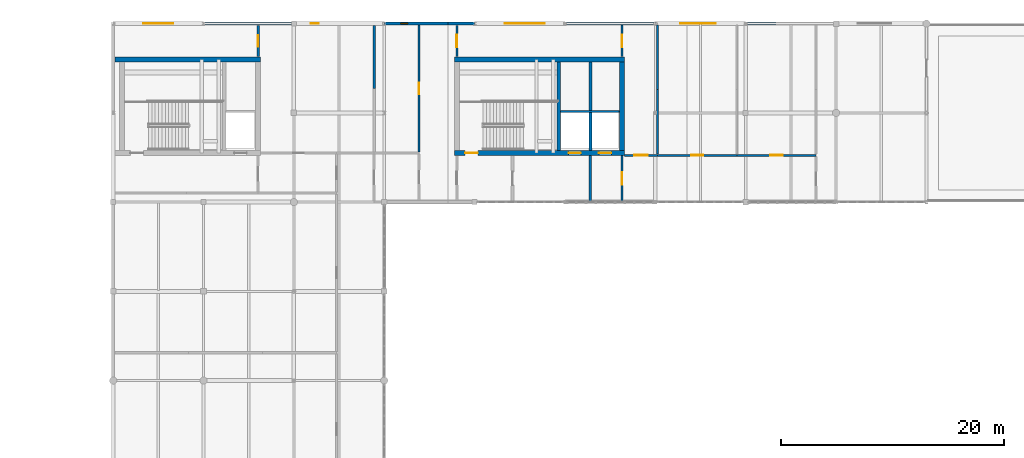
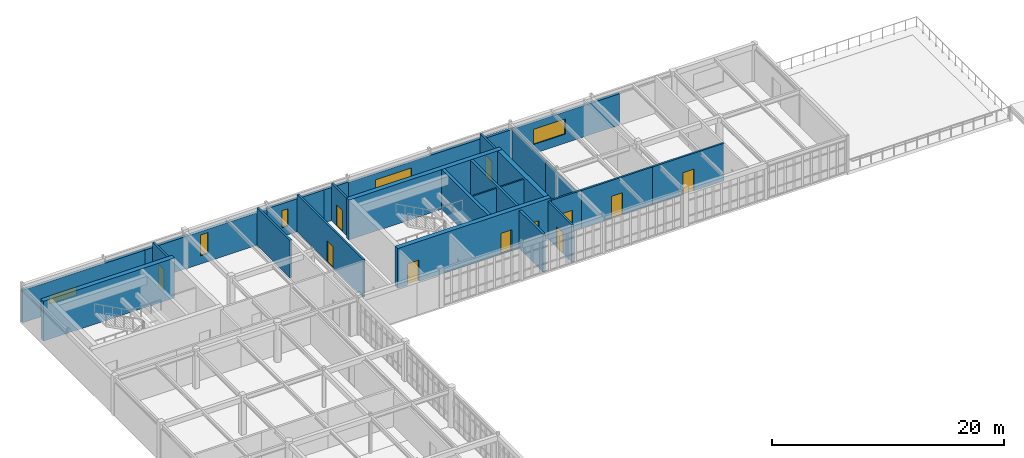
# One storey, part 32 of 36: 25 walls, 11 doors, 5 windows, 16 openings.
"""IFC4 building model written with IfcOpenShell, lengths in metres."""

import ifcopenshell
import ifcopenshell.guid

model = None  # the IFC model being written
_history = None  # IfcOwnerHistory: only IFC2X3 demands one
_inside = {}  # id of a spatial element -> (the spatial element, [elements in it])
_under = {}  # id of a project, library or spatial element -> (it, [spatial elements below it])
_declared = {}  # id of a project -> (the project, [libraries it declares])
_typed = {}  # id of a type object -> (the type object, [elements of that type])
_made_of = {}  # id of a material, layer set ... -> (it, [elements and type objects made of it])


def new_model(schema):
    """Start an empty IFC model of exactly this schema.

    Asked for "IFC4X3", IfcOpenShell would pick the latest addendum, in which some entities
    have other attributes; the version numbers below select the first issue.
    IFC2X3 requires an IfcOwnerHistory on every rooted entity: one is made here for all.
    """
    global model, _history
    if schema == "IFC4X3":
        model = ifcopenshell.file(schema_version=(4, 3, 0, 0))
    else:
        model = ifcopenshell.file(schema=schema)
    _inside.clear()
    _under.clear()
    _declared.clear()
    _typed.clear()
    _made_of.clear()
    _history = None
    if model.schema == "IFC2X3":
        org = make("IfcOrganization", Name="unknown")
        user = make(
            "IfcPersonAndOrganization",
            ThePerson=make("IfcPerson", FamilyName="unknown"),
            TheOrganization=org,
        )
        app = make(
            "IfcApplication",
            ApplicationDeveloper=org,
            Version="unknown",
            ApplicationFullName="unknown",
            ApplicationIdentifier="unknown",
        )
        _history = make(
            "IfcOwnerHistory",
            OwningUser=user,
            OwningApplication=app,
            ChangeAction="ADDED",
            CreationDate=0,
        )
    return model


def make(cls, **values):
    """One entity of the class cls with the attributes given. An attribute that is None is left unset."""
    return model.create_entity(
        cls, **{name: value for name, value in values.items() if value is not None}
    )


def rooted(cls, **values):
    """An entity with a GlobalId (a new one), such as an element, a storey or a relation."""
    return make(cls, GlobalId=ifcopenshell.guid.new(), OwnerHistory=_history, **values)


def si_unit(unit_type, name, prefix=None):
    """IfcSIUnit, for example si_unit("LENGTHUNIT", "METRE", prefix="MILLI")."""
    return make("IfcSIUnit", UnitType=unit_type, Prefix=prefix, Name=name)


def assignment(units):
    """IfcUnitAssignment: the units of a project."""
    return None if units is None else make("IfcUnitAssignment", Units=units)


def point(xyz):
    """IfcCartesianPoint."""
    return None if xyz is None else make("IfcCartesianPoint", Coordinates=xyz)


def direction(xyz):
    """IfcDirection."""
    return None if xyz is None else make("IfcDirection", DirectionRatios=xyz)


def frame(location, z_axis=None, x_axis=None):
    """IfcAxis2Placement3D, a coordinate frame: its origin and axes. An axis left out is left unset."""
    return make(
        "IfcAxis2Placement3D",
        Location=point(location),
        Axis=direction(z_axis),
        RefDirection=direction(x_axis),
    )


def frame_2d(location, x_axis=None):
    """IfcAxis2Placement2D, a coordinate frame in the plane: its origin and x axis."""
    return make(
        "IfcAxis2Placement2D", Location=point(location), RefDirection=direction(x_axis)
    )


def origin():
    """The frame at (0, 0, 0) with its axes left unset."""
    return frame((0.0, 0.0, 0.0))


def place(relative_to, where):
    """IfcLocalPlacement: puts the frame where relative to a parent placement (None: the world)."""
    return make(
        "IfcLocalPlacement", PlacementRelTo=relative_to, RelativePlacement=where
    )


def context(
    kind, dimensions, precision=None, world=None, true_north=None, identifier=None
):
    """IfcGeometricRepresentationContext, for example the 3D "Model" context."""
    return make(
        "IfcGeometricRepresentationContext",
        ContextIdentifier=identifier,
        ContextType=kind,
        CoordinateSpaceDimension=dimensions,
        Precision=precision,
        WorldCoordinateSystem=world,
        TrueNorth=true_north,
    )


def subcontext(parent, identifier, kind, view, scale=None):
    """IfcGeometricRepresentationSubContext, for example "Body" below "Model"."""
    return make(
        "IfcGeometricRepresentationSubContext",
        ContextIdentifier=identifier,
        ContextType=kind,
        ParentContext=parent,
        TargetScale=scale,
        TargetView=view,
    )


def project(units=None, contexts=None):
    """IfcProject with its units and contexts."""
    return rooted(
        "IfcProject",
        Name="project",
        RepresentationContexts=contexts,
        UnitsInContext=assignment(units),
    )


def spatial(cls, under=None, at=None, **own):
    """A site, building, storey or space (cls), placed at a placement, below another one or the project."""
    s = rooted(cls, ObjectPlacement=at, **own)
    if under is not None:
        _under.setdefault(under.id(), (under, []))[1].append(s)
    return s


def profile(cls, at=None, kind="AREA", **sizes):
    """A parametric profile (cls). Its sizes go by their IFC names, for example OverallWidth=200.0."""
    return make(cls, ProfileType=kind, Position=at, **sizes)


def rectangle(**sizes):
    """IfcRectangleProfileDef."""
    return profile("IfcRectangleProfileDef", **sizes)


def extrude(swept, where, along, depth):
    """IfcExtrudedAreaSolid: the profile swept, set in the frame where, extruded along a direction by depth."""
    return make(
        "IfcExtrudedAreaSolid",
        SweptArea=swept,
        Position=where,
        ExtrudedDirection=direction(along),
        Depth=depth,
    )


def shape(context_of_items, identifier, shape_type, items):
    """IfcShapeRepresentation: the items that make up one representation, for example the "Body"."""
    return make(
        "IfcShapeRepresentation",
        ContextOfItems=context_of_items,
        RepresentationIdentifier=identifier,
        RepresentationType=shape_type,
        Items=items,
    )


def material(Name=None, Category=None):
    """IfcMaterial."""
    return make("IfcMaterial", Name=Name, Category=Category)


def layer(
    of_material, thickness, ventilated=None, Name=None, Category=None, Priority=None
):
    """IfcMaterialLayer: one layer of a wall or slab, of a material (None: an air gap)."""
    return make(
        "IfcMaterialLayer",
        Material=of_material,
        LayerThickness=thickness,
        IsVentilated=ventilated,
        Name=Name,
        Category=Category,
        Priority=Priority,
    )


def layer_set(layers, Name=None):
    """IfcMaterialLayerSet."""
    return make("IfcMaterialLayerSet", MaterialLayers=layers, LayerSetName=Name)


def made_of(thing, what):
    """Note that an element or type object is made of a material, layer set ...; save() writes the relation."""
    if what is not None:
        _made_of.setdefault(what.id(), (what, []))[1].append(thing)
    return thing


def type_object(cls, material=None, **own):
    """A type object (cls), such as IfcWallType, which elements share."""
    return made_of(rooted(cls, **own), material)


def element(
    cls,
    number,
    at=None,
    inside=None,
    cuts=None,
    type_object=None,
    material=None,
    context=None,
    identifier="Body",
    shape_type=None,
    held_by="IfcProductDefinitionShape",
    body=None,
    shapes=None,
    **own,
):
    """One element of the class cls, such as IfcWall. Its Tag is "e" and its number.

    at: its placement. inside: the storey or other place that contains it. cuts: it is an
    opening in that element (IfcRelVoidsElement). A single representation is given by context,
    identifier, shape_type and body (its items); several are given by shapes. held_by: the class
    of the entity that holds the representations. save() writes the other relations.
    """
    e = rooted(cls, Tag="e%d" % number, ObjectPlacement=at, **own)
    if body is not None:
        shapes = [shape(context, identifier, shape_type, body)]
    if shapes is not None:
        e.Representation = make(held_by, Representations=shapes)
    if inside is not None:
        _inside.setdefault(inside.id(), (inside, []))[1].append(e)
    if cuts is not None:
        rooted(
            "IfcRelVoidsElement", RelatingBuildingElement=cuts, RelatedOpeningElement=e
        )
    if type_object is not None:
        _typed.setdefault(type_object.id(), (type_object, []))[1].append(e)
    return made_of(e, material)


def fill(opening, filler):
    """IfcRelFillsElement: the door or window that sits in an opening."""
    return rooted(
        "IfcRelFillsElement",
        RelatingOpeningElement=opening,
        RelatedBuildingElement=filler,
    )


def aggregate(whole, parts):
    """IfcRelAggregates: a whole, such as a stair, and the parts it consists of."""
    return rooted("IfcRelAggregates", RelatingObject=whole, RelatedObjects=parts)


def save(model, path):
    """Write the relations noted so far, then the file.

    IfcRelAggregates (storeys below a building ...), IfcRelContainedInSpatialStructure (elements
    in a storey), IfcRelDefinesByType, IfcRelAssociatesMaterial and IfcRelDeclares: one each for
    every whole, place, type object, material and project.
    """
    for whole, parts in _under.values():
        aggregate(whole, parts)
    for where, things in _inside.values():
        rooted(
            "IfcRelContainedInSpatialStructure",
            RelatedElements=things,
            RelatingStructure=where,
        )
    for kind, things in _typed.values():
        rooted("IfcRelDefinesByType", RelatedObjects=things, RelatingType=kind)
    for what, things in _made_of.values():
        rooted("IfcRelAssociatesMaterial", RelatedObjects=things, RelatingMaterial=what)
    for by, libraries in _declared.values():
        rooted("IfcRelDeclares", RelatingContext=by, RelatedDefinitions=libraries)
    model.write(path)


model = new_model("IFC4")

# Units and contexts
model_context = context("Model", 3, precision=1e-05, world=origin(), true_north=direction((0.0, 1.0)))
body_context = subcontext(model_context, "Body", "Model", "MODEL_VIEW")
ifc_project = project(units=[si_unit("LENGTHUNIT", "METRE"), si_unit("AREAUNIT", "SQUARE_METRE"), si_unit("VOLUMEUNIT", "CUBIC_METRE"), si_unit("PLANEANGLEUNIT", "RADIAN"), si_unit("MASSUNIT", "GRAM", prefix="KILO")], contexts=[model_context])

# Site, building, storey
site_placement = place(None, origin())
site = spatial("IfcSite", under=ifc_project, at=site_placement, CompositionType="ELEMENT")
building_placement = place(site_placement, origin())
building = spatial("IfcBuilding", under=site, at=building_placement, Name="Tarnveldt Square Police Headquarters", CompositionType="ELEMENT")
storey_placement = place(building_placement, frame((0.0, 0.0, 24.89990234375)))
storey = spatial("IfcBuildingStorey", under=building, at=storey_placement, Name="L05", CompositionType="ELEMENT", Elevation=24.89990234375)

# Wall, opening, door
ifc_material_1 = material(Name="Fire-rated Type X gypsum board on steel studs", Category="steel")
ifc_layer_1 = layer(ifc_material_1, 0.199951171875)
ifc_layer_set_1 = layer_set([ifc_layer_1], Name="Fire-rated Type X gypsum board on steel studs")
wall_type_1 = type_object("IfcWallType", Name="WL-ACOUST-200", PredefinedType="PARTITIONING", material=ifc_layer_set_1)
wall_1_placement = place(storey_placement, frame((29.199951171875, 109.032958984375, 0.0), z_axis=(0.0, 0.0, 1.0), x_axis=(0.0, 1.0, 0.0)))
wall_1 = element("IfcWall", 1, at=wall_1_placement, inside=storey, type_object=wall_type_1, Name="L05 Interior Partition Wall 0632", PredefinedType="PARTITIONING", context=body_context, shape_type="SweptSolid", body=[
    extrude(rectangle(XDim=2.819091796875, YDim=0.199951171875, at=frame_2d((1.40966796875, 0.0))), origin(), (0.0, 0.0, 1.0), 3.960205078125),
])
opening_1_placement = place(wall_1_placement, frame((0.909423828125, 0.0, 0.0)))
opening_1 = element("IfcOpeningElement", 2, at=opening_1_placement, cuts=wall_1, Name="Opening D05", PredefinedType="OPENING", context=body_context, shape_type="SweptSolid", body=[
    extrude(rectangle(XDim=1.0, YDim=2.199951171875, at=frame_2d((0.5, 1.10009765625))), frame((0.0, 0.10986328125, 0.0), z_axis=(0.0, -1.0, 0.0), x_axis=(1.0, 0.0, 0.0)), (0.0, 0.0, 1.0), 0.219970703125),
])
ifc_material_2 = material(Name="Solid core architectural birch door leaf", Category="wood")
door_type_1 = type_object("IfcDoorType", Name="DR-INT-1000", OperationType="NOTDEFINED", PredefinedType="DOOR", material=ifc_material_2)
door_1_placement = place(opening_1_placement, origin())
door_1 = element("IfcDoor", 3, at=door_1_placement, inside=storey, type_object=door_type_1, Name="Major Crimes Secure Exhibit Room Door", OperationType="SINGLE_SWING_RIGHT", OverallHeight=2.199951171875, OverallWidth=1.0, PredefinedType="DOOR", context=body_context, shape_type="SweptSolid", body=[
    extrude(rectangle(XDim=1.0, YDim=2.199951171875, at=frame_2d((0.5, 1.10009765625))), frame((0.0, 0.02490234375, 0.0), z_axis=(0.0, -1.0, 0.0), x_axis=(1.0, 0.0, 0.0)), (0.0, 0.0, 1.0), 0.050048828125),
])
fill(opening_1, door_1)

# Walls
wall_2_placement = place(storey_placement, frame((39.60009765625, 106.175048828125, 0.0), z_axis=(0.0, 0.0, 1.0), x_axis=(0.0, 1.0, 0.0)))
element("IfcWall", 4, at=wall_2_placement, inside=storey, type_object=wall_type_1, Name="L05 Interior Partition Wall 0644", PredefinedType="PARTITIONING", context=body_context, shape_type="SweptSolid", body=[
    extrude(rectangle(XDim=5.677001953125, YDim=0.199951171875, at=frame_2d((2.83837890625, 0.0))), origin(), (0.0, 0.0, 1.0), 3.960205078125),
])
ifc_material_3 = material(Name="Concrete 50 MPa", Category="concrete")
ifc_layer_2 = layer(ifc_material_3, 0.449951171875)
ifc_layer_set_2 = layer_set([ifc_layer_2], Name="Concrete 50 MPa")
wall_type_2 = type_object("IfcWallType", Name="WL-CORE-450", PredefinedType="SHEAR", material=ifc_layer_set_2)
wall_3_placement = place(storey_placement, frame((16.360107421875, 108.800048828125, 0.0), z_axis=(0.0, 0.0, 1.0), x_axis=(1.0, 0.0, 0.0)))
element("IfcWall", 5, at=wall_3_placement, inside=storey, type_object=wall_type_2, Name="Core K2 North-West Operations Core L05 North Shear Wall", PredefinedType="SHEAR", context=body_context, shape_type="SweptSolid", body=[
    extrude(rectangle(XDim=13.06494140625, YDim=0.449951171875, at=frame_2d((6.532470703125, 0.0))), origin(), (0.0, 0.0, 1.0), 4.2001953125),
])

# Wall, openings, doors
wall_4_placement = place(storey_placement, frame((46.77490234375, 100.39990234375, 0.0), z_axis=(0.0, 0.0, 1.0), x_axis=(1.0, 0.0, 0.0)))
wall_4 = element("IfcWall", 6, at=wall_4_placement, inside=storey, type_object=wall_type_2, Name="Core K3 North-Central Forensic and Firefighting Core L05 South Shear Wall", PredefinedType="SHEAR", context=body_context, shape_type="SweptSolid", body=[
    extrude(rectangle(XDim=15.25, YDim=0.449951171875, at=frame_2d((7.625, 0.0))), origin(), (0.0, 0.0, 1.0), 4.2001953125),
])
opening_2_placement = place(wall_4_placement, frame((0.97509765625, 0.0, 0.0)))
opening_2 = element("IfcOpeningElement", 7, at=opening_2_placement, cuts=wall_4, Name="Opening D-ST3-L05", PredefinedType="OPENING", context=body_context, shape_type="SweptSolid", body=[
    extrude(rectangle(XDim=1.14990234375, YDim=2.25, at=frame_2d((0.574951171875, 1.125))), frame((0.0, 0.23486328125, 0.0), z_axis=(0.0, -1.0, 0.0), x_axis=(1.0, 0.0, 0.0)), (0.0, 0.0, 1.0), 0.469970703125),
])
opening_3_placement = place(wall_4_placement, frame((10.257568359375, 0.0, 0.0)))
opening_3 = element("IfcOpeningElement", 8, at=opening_3_placement, cuts=wall_4, Name="Opening LD-LF2-L05", PredefinedType="OPENING", context=body_context, shape_type="SweptSolid", body=[
    extrude(rectangle(XDim=1.10009765625, YDim=2.199951171875, at=frame_2d((0.550048828125, 1.10009765625))), frame((0.0, 0.23486328125, 0.0), z_axis=(0.0, -1.0, 0.0), x_axis=(1.0, 0.0, 0.0)), (0.0, 0.0, 1.0), 0.469970703125),
])
opening_4_placement = place(wall_4_placement, frame((12.972412109375, 0.0, 0.0)))
opening_4 = element("IfcOpeningElement", 9, at=opening_4_placement, cuts=wall_4, Name="Opening LD-LP3-L05", PredefinedType="OPENING", context=body_context, shape_type="SweptSolid", body=[
    extrude(rectangle(XDim=1.10009765625, YDim=2.199951171875, at=frame_2d((0.550048828125, 1.10009765625))), frame((0.0, 0.23486328125, 0.0), z_axis=(0.0, -1.0, 0.0), x_axis=(1.0, 0.0, 0.0)), (0.0, 0.0, 1.0), 0.469970703125),
])
ifc_material_4 = material(Name="Insulated hollow metal steel door leaf", Category="steel")
door_type_2 = type_object("IfcDoorType", Name="DR-FD90-1150", OperationType="NOTDEFINED", PredefinedType="DOOR", material=ifc_material_4)
door_2_placement = place(opening_2_placement, origin())
door_2 = element("IfcDoor", 10, at=door_2_placement, inside=storey, type_object=door_type_2, Name="Exit Stair ST3 L05 Fire Door", OperationType="SINGLE_SWING_LEFT", OverallHeight=2.25, OverallWidth=1.14990234375, PredefinedType="DOOR", context=body_context, shape_type="SweptSolid", body=[
    extrude(rectangle(XDim=1.14990234375, YDim=2.25, at=frame_2d((0.574951171875, 1.125))), frame((0.0, 0.02490234375, 0.0), z_axis=(0.0, -1.0, 0.0), x_axis=(1.0, 0.0, 0.0)), (0.0, 0.0, 1.0), 0.050048828125),
])
fill(opening_2, door_2)
ifc_material_5 = material(Name="Steel 350W", Category="steel")
door_type_3 = type_object("IfcDoorType", Name="DR-LD-1100", OperationType="DOUBLE_DOOR_SLIDING", PredefinedType="DOOR", material=ifc_material_5)
door_3_placement = place(opening_3_placement, frame((1.10009765625, 0.0, 0.0), z_axis=(0.0, 0.0, 1.0), x_axis=(-1.0, 0.0, 0.0)))
door_3 = element("IfcDoor", 11, at=door_3_placement, inside=storey, type_object=door_type_3, Name="Elevator LF2 L05 Sliding Landing Door", OperationType="DOUBLE_DOOR_SLIDING", OverallHeight=2.199951171875, OverallWidth=1.10009765625, PredefinedType="DOOR", context=body_context, shape_type="SweptSolid", body=[
    extrude(rectangle(XDim=1.10009765625, YDim=2.199951171875, at=frame_2d((0.550048828125, 1.10009765625))), frame((0.0, 0.02490234375, 0.0), z_axis=(0.0, -1.0, 0.0), x_axis=(1.0, 0.0, 0.0)), (0.0, 0.0, 1.0), 0.050048828125),
])
fill(opening_3, door_3)
door_4_placement = place(opening_4_placement, frame((1.10009765625, 0.0, 0.0), z_axis=(0.0, 0.0, 1.0), x_axis=(-1.0, 0.0, 0.0)))
door_4 = element("IfcDoor", 12, at=door_4_placement, inside=storey, type_object=door_type_3, Name="Elevator LP3 L05 Sliding Landing Door", OperationType="DOUBLE_DOOR_SLIDING", OverallHeight=2.199951171875, OverallWidth=1.10009765625, PredefinedType="DOOR", context=body_context, shape_type="SweptSolid", body=[
    extrude(rectangle(XDim=1.10009765625, YDim=2.199951171875, at=frame_2d((0.550048828125, 1.10009765625))), frame((0.0, 0.02490234375, 0.0), z_axis=(0.0, -1.0, 0.0), x_axis=(1.0, 0.0, 0.0)), (0.0, 0.0, 1.0), 0.050048828125),
])
fill(opening_4, door_4)

# Walls
wall_5_placement = place(storey_placement, frame((46.77490234375, 108.800048828125, 0.0), z_axis=(0.0, 0.0, 1.0), x_axis=(1.0, 0.0, 0.0)))
element("IfcWall", 13, at=wall_5_placement, inside=storey, type_object=wall_type_2, Name="Core K3 North-Central Forensic and Firefighting Core L05 North Shear Wall", PredefinedType="SHEAR", context=body_context, shape_type="SweptSolid", body=[
    extrude(rectangle(XDim=15.25, YDim=0.449951171875, at=frame_2d((7.625, 0.0))), origin(), (0.0, 0.0, 1.0), 4.2001953125),
])
wall_6_placement = place(storey_placement, frame((61.800048828125, 100.625, 0.0), z_axis=(0.0, 0.0, 1.0), x_axis=(0.0, 1.0, 0.0)))
element("IfcWall", 14, at=wall_6_placement, inside=storey, type_object=wall_type_2, Name="Core K3 North-Central Forensic and Firefighting Core L05 East Shear Wall", PredefinedType="SHEAR", context=body_context, shape_type="SweptSolid", body=[
    extrude(rectangle(XDim=7.949951171875, YDim=0.449951171875, at=frame_2d((3.97509765625, 0.0))), origin(), (0.0, 0.0, 1.0), 4.2001953125),
])
wall_7_placement = place(storey_placement, frame((56.14990234375, 100.625, 0.0), z_axis=(0.0, 0.0, 1.0), x_axis=(0.0, 1.0, 0.0)))
element("IfcWall", 15, at=wall_7_placement, inside=storey, type_object=wall_type_2, Name="Core K3 North-Central Forensic and Firefighting Core L05 Stair-Lift Divider Shear Wall", PredefinedType="SHEAR", context=body_context, shape_type="SweptSolid", body=[
    extrude(rectangle(XDim=7.949951171875, YDim=0.300048828125, at=frame_2d((3.97509765625, 0.0))), origin(), (0.0, 0.0, 1.0), 4.2001953125),
])
wall_8_placement = place(storey_placement, frame((58.97509765625, 100.625, 0.0), z_axis=(0.0, 0.0, 1.0), x_axis=(0.0, 1.0, 0.0)))
element("IfcWall", 16, at=wall_8_placement, inside=storey, type_object=wall_type_2, Name="Core K3 North-Central Forensic and Firefighting Core L05 Dual-Lift Shaft Divider Wall", PredefinedType="SHEAR", context=body_context, shape_type="SweptSolid", body=[
    extrude(rectangle(XDim=7.949951171875, YDim=0.25, at=frame_2d((3.97509765625, 0.0))), origin(), (0.0, 0.0, 1.0), 4.2001953125),
])

# Wall, opening, window
ifc_material_6 = material(Name="Precast concrete 35 MPa", Category="concrete")
ifc_layer_3 = layer(ifc_material_6, 0.260009765625)
ifc_layer_set_3 = layer_set([ifc_layer_3], Name="Precast concrete 35 MPa")
wall_type_3 = type_object("IfcWallType", Name="WL-EXT-PC260", PredefinedType="SOLIDWALL", material=ifc_layer_set_3)
wall_9_placement = place(storey_placement, frame((75.60009765625, 112.0, 0.0), z_axis=(0.0, 0.0, 1.0), x_axis=(-1.0, 0.0, 0.0)))
wall_9 = element("IfcWall", 17, at=wall_9_placement, inside=storey, type_object=wall_type_3, Name="L05 Brutalist Exterior Wall 0217", PredefinedType="SOLIDWALL", context=body_context, shape_type="SweptSolid", body=[
    extrude(rectangle(XDim=13.5, YDim=0.260009765625, at=frame_2d((6.75, 0.0))), origin(), (0.0, 0.0, 1.0), 3.302001953125),
])
opening_5_placement = place(wall_9_placement, frame((5.39990234375, 0.0, 0.949951171875)))
opening_5 = element("IfcOpeningElement", 18, at=opening_5_placement, cuts=wall_9, Name="Opening W18", PredefinedType="OPENING", context=body_context, shape_type="SweptSolid", body=[
    extrude(rectangle(XDim=3.14990234375, YDim=1.60009765625, at=frame_2d((1.574951171875, 0.800048828125))), frame((0.0, 0.139892578125, 0.0), z_axis=(0.0, -1.0, 0.0), x_axis=(1.0, 0.0, 0.0)), (0.0, 0.0, 1.0), 0.280029296875),
])
ifc_material_7 = material(Name="Triple-glazed low-e laminated vision glass", Category="glass")
window_type_1 = type_object("IfcWindowType", Name="WIN-DR-315x160", PartitioningType="TRIPLE_PANEL_VERTICAL", PredefinedType="WINDOW", material=ifc_material_7)
window_1_placement = place(opening_5_placement, origin())
window_1 = element("IfcWindow", 19, at=window_1_placement, inside=storey, type_object=window_type_1, Name="L05 Deep-Reveal Brutalist Window 0114", OverallHeight=1.60009765625, OverallWidth=3.14990234375, PartitioningType="TRIPLE_PANEL_VERTICAL", PredefinedType="WINDOW", context=body_context, shape_type="SweptSolid", body=[
    extrude(rectangle(XDim=3.14990234375, YDim=1.60009765625, at=frame_2d((1.574951171875, 0.800048828125))), frame((0.0, 0.030029296875, 0.0), z_axis=(0.0, -1.0, 0.0), x_axis=(1.0, 0.0, 0.0)), (0.0, 0.0, 1.0), 0.06005859375),
])
fill(opening_5, window_1)

wall_10_placement = place(storey_placement, frame((62.10009765625, 112.0, 0.0), z_axis=(0.0, 0.0, 1.0), x_axis=(-1.0, 0.0, 0.0)))
wall_10 = element("IfcWall", 20, at=wall_10_placement, inside=storey, type_object=wall_type_3, Name="L05 Brutalist Exterior Wall 0218", PredefinedType="SOLIDWALL", context=body_context, shape_type="SweptSolid", body=[
    extrude(rectangle(XDim=13.5, YDim=0.260009765625, at=frame_2d((6.75, 0.0))), origin(), (0.0, 0.0, 1.0), 3.402099609375),
])
opening_6_placement = place(wall_10_placement, frame((7.199951171875, 0.0, 0.949951171875)))
opening_6 = element("IfcOpeningElement", 21, at=opening_6_placement, cuts=wall_10, Name="Opening W19", PredefinedType="OPENING", context=body_context, shape_type="SweptSolid", body=[
    extrude(rectangle(XDim=3.60009765625, YDim=1.800048828125, at=frame_2d((1.800048828125, 0.89990234375))), frame((0.0, 0.139892578125, 0.0), z_axis=(0.0, -1.0, 0.0), x_axis=(1.0, 0.0, 0.0)), (0.0, 0.0, 1.0), 0.280029296875),
])
window_type_2 = type_object("IfcWindowType", Name="WIN-DR-360x180", PartitioningType="TRIPLE_PANEL_VERTICAL", PredefinedType="WINDOW", material=ifc_material_7)
window_2_placement = place(opening_6_placement, origin())
window_2 = element("IfcWindow", 22, at=window_2_placement, inside=storey, type_object=window_type_2, Name="L05 Deep-Reveal Brutalist Window 0115", OverallHeight=1.800048828125, OverallWidth=3.60009765625, PartitioningType="TRIPLE_PANEL_VERTICAL", PredefinedType="WINDOW", context=body_context, shape_type="SweptSolid", body=[
    extrude(rectangle(XDim=3.60009765625, YDim=1.800048828125, at=frame_2d((1.800048828125, 0.89990234375))), frame((0.0, 0.030029296875, 0.0), z_axis=(0.0, -1.0, 0.0), x_axis=(1.0, 0.0, 0.0)), (0.0, 0.0, 1.0), 0.06005859375),
])
fill(opening_6, window_2)

wall_11_placement = place(storey_placement, frame((46.199951171875, 112.0, 0.0), z_axis=(0.0, 0.0, 1.0), x_axis=(-1.0, 0.0, 0.0)))
wall_11 = element("IfcWall", 23, at=wall_11_placement, inside=storey, type_object=wall_type_3, Name="L05 Brutalist Exterior Wall 0220", PredefinedType="SOLIDWALL", context=body_context, shape_type="SweptSolid", body=[
    extrude(rectangle(XDim=5.699951171875, YDim=0.260009765625, at=frame_2d((2.85009765625, 0.0))), origin(), (0.0, 0.0, 1.0), 3.489013671875),
])
opening_7_placement = place(wall_11_placement, frame((3.60009765625, 0.0, 0.949951171875)))
opening_7 = element("IfcOpeningElement", 24, at=opening_7_placement, cuts=wall_11, Name="Opening W20", PredefinedType="OPENING", context=body_context, shape_type="SweptSolid", body=[
    extrude(rectangle(XDim=0.60009765625, YDim=1.800048828125, at=frame_2d((0.300048828125, 0.89990234375))), frame((0.0, 0.139892578125, 0.0), z_axis=(0.0, -1.0, 0.0), x_axis=(1.0, 0.0, 0.0)), (0.0, 0.0, 1.0), 0.280029296875),
])
window_type_3 = type_object("IfcWindowType", Name="WIN-SLT-060x180", PartitioningType="SINGLE_PANEL", PredefinedType="WINDOW", material=ifc_material_7)
window_3_placement = place(opening_7_placement, origin())
window_3 = element("IfcWindow", 25, at=window_3_placement, inside=storey, type_object=window_type_3, Name="L05 Deep-Reveal Brutalist Window 0116", OverallHeight=1.800048828125, OverallWidth=0.60009765625, PartitioningType="SINGLE_PANEL", PredefinedType="WINDOW", context=body_context, shape_type="SweptSolid", body=[
    extrude(rectangle(XDim=0.60009765625, YDim=1.800048828125, at=frame_2d((0.300048828125, 0.89990234375))), frame((0.0, 0.030029296875, 0.0), z_axis=(0.0, -1.0, 0.0), x_axis=(1.0, 0.0, 0.0)), (0.0, 0.0, 1.0), 0.06005859375),
])
fill(opening_7, window_3)

# Wall
ifc_layer_4 = layer(ifc_material_6, 0.280029296875)
ifc_layer_set_4 = layer_set([ifc_layer_4], Name="Precast concrete 35 MPa")
wall_type_4 = type_object("IfcWallType", Name="WL-EXT-PC280", PredefinedType="SOLIDWALL", material=ifc_layer_set_4)
wall_12_placement = place(storey_placement, frame((48.60009765625, 112.0, 0.0), z_axis=(0.0, 0.0, 1.0), x_axis=(-1.0, 0.0, 0.0)))
element("IfcWall", 26, at=wall_12_placement, inside=storey, type_object=wall_type_4, Name="L05 Brutalist Exterior Wall 0219", PredefinedType="SOLIDWALL", context=body_context, shape_type="SweptSolid", body=[
    extrude(rectangle(XDim=2.400146484375, YDim=0.280029296875, at=frame_2d((1.2001953125, 0.0))), origin(), (0.0, 0.0, 1.0), 3.489013671875),
])

# Wall, opening, window
wall_13_placement = place(storey_placement, frame((40.5, 112.0, 0.0), z_axis=(0.0, 0.0, 1.0), x_axis=(-1.0, 0.0, 0.0)))
wall_13 = element("IfcWall", 27, at=wall_13_placement, inside=storey, type_object=wall_type_4, Name="L05 Brutalist Exterior Wall 0221", PredefinedType="SOLIDWALL", context=body_context, shape_type="SweptSolid", body=[
    extrude(rectangle(XDim=12.14990234375, YDim=0.280029296875, at=frame_2d((6.074951171875, 0.0))), origin(), (0.0, 0.0, 1.0), 3.402099609375),
])
opening_8_placement = place(wall_13_placement, frame((5.85009765625, 0.0, 0.85009765625)))
opening_8 = element("IfcOpeningElement", 28, at=opening_8_placement, cuts=wall_13, Name="Opening W21", PredefinedType="OPENING", context=body_context, shape_type="SweptSolid", body=[
    extrude(rectangle(XDim=0.75, YDim=2.199951171875, at=frame_2d((0.375, 1.10009765625))), frame((0.0, 0.14990234375, 0.0), z_axis=(0.0, -1.0, 0.0), x_axis=(1.0, 0.0, 0.0)), (0.0, 0.0, 1.0), 0.300048828125),
])
window_type_4 = type_object("IfcWindowType", Name="WIN-SLT-075x220", PartitioningType="SINGLE_PANEL", PredefinedType="WINDOW", material=ifc_material_7)
window_4_placement = place(opening_8_placement, origin())
window_4 = element("IfcWindow", 29, at=window_4_placement, inside=storey, type_object=window_type_4, Name="L05 Deep-Reveal Brutalist Window 0117", OverallHeight=2.199951171875, OverallWidth=0.75, PartitioningType="SINGLE_PANEL", PredefinedType="WINDOW", context=body_context, shape_type="SweptSolid", body=[
    extrude(rectangle(XDim=0.75, YDim=2.199951171875, at=frame_2d((0.375, 1.10009765625))), frame((0.0, 0.030029296875, 0.0), z_axis=(0.0, -1.0, 0.0), x_axis=(1.0, 0.0, 0.0)), (0.0, 0.0, 1.0), 0.06005859375),
])
fill(opening_8, window_4)

wall_14_placement = place(storey_placement, frame((28.35009765625, 112.0, 0.0), z_axis=(0.0, 0.0, 1.0), x_axis=(-1.0, 0.0, 0.0)))
wall_14 = element("IfcWall", 30, at=wall_14_placement, inside=storey, type_object=wall_type_4, Name="L05 Brutalist Exterior Wall 0222", PredefinedType="SOLIDWALL", context=body_context, shape_type="SweptSolid", body=[
    extrude(rectangle(XDim=12.150146484375, YDim=0.280029296875, at=frame_2d((6.0751953125, 0.0))), origin(), (0.0, 0.0, 1.0), 3.402099609375),
])
opening_9_placement = place(wall_14_placement, frame((6.75, 0.0, 0.949951171875)))
opening_9 = element("IfcOpeningElement", 31, at=opening_9_placement, cuts=wall_14, Name="Opening W22", PredefinedType="OPENING", context=body_context, shape_type="SweptSolid", body=[
    extrude(rectangle(XDim=2.699951171875, YDim=0.89990234375, at=frame_2d((1.35009765625, 0.449951171875))), frame((0.0, 0.14990234375, 0.0), z_axis=(0.0, -1.0, 0.0), x_axis=(1.0, 0.0, 0.0)), (0.0, 0.0, 1.0), 0.300048828125),
])
window_type_5 = type_object("IfcWindowType", Name="WIN-CLR-270x090", PartitioningType="TRIPLE_PANEL_VERTICAL", PredefinedType="WINDOW", material=ifc_material_7)
window_5_placement = place(opening_9_placement, origin())
window_5 = element("IfcWindow", 32, at=window_5_placement, inside=storey, type_object=window_type_5, Name="L05 Deep-Reveal Brutalist Window 0118", OverallHeight=0.89990234375, OverallWidth=2.699951171875, PartitioningType="TRIPLE_PANEL_VERTICAL", PredefinedType="WINDOW", context=body_context, shape_type="SweptSolid", body=[
    extrude(rectangle(XDim=2.699951171875, YDim=0.89990234375, at=frame_2d((1.35009765625, 0.449951171875))), frame((0.0, 0.030029296875, 0.0), z_axis=(0.0, -1.0, 0.0), x_axis=(1.0, 0.0, 0.0)), (0.0, 0.0, 1.0), 0.06005859375),
])
fill(opening_9, window_5)

# Wall, opening, door
ifc_layer_5 = layer(ifc_material_1, 0.179931640625)
ifc_layer_set_5 = layer_set([ifc_layer_5], Name="Fire-rated Type X gypsum board on steel studs")
wall_type_5 = type_object("IfcWallType", Name="WL-FIRE-180", PredefinedType="PARTITIONING", material=ifc_layer_set_5)
wall_15_placement = place(storey_placement, frame((62.02490234375, 100.199951171875, 0.0), z_axis=(0.0, 0.0, 1.0), x_axis=(1.0, 0.0, 0.0)))
wall_15 = element("IfcWall", 33, at=wall_15_placement, inside=storey, type_object=wall_type_5, Name="L05 Interior Partition Wall 0624", PredefinedType="PARTITIONING", context=body_context, shape_type="SweptSolid", body=[
    extrude(rectangle(XDim=2.97509765625, YDim=0.179931640625, at=frame_2d((1.487548828125, 0.0))), origin(), (0.0, 0.0, 1.0), 3.960205078125),
])
opening_10_placement = place(wall_15_placement, frame((0.887451171875, 0.0, 0.0)))
opening_10 = element("IfcOpeningElement", 34, at=opening_10_placement, cuts=wall_15, Name="Opening D16", PredefinedType="OPENING", context=body_context, shape_type="SweptSolid", body=[
    extrude(rectangle(XDim=1.199951171875, YDim=2.199951171875, at=frame_2d((0.60009765625, 1.10009765625))), frame((0.0, 0.099853515625, 0.0), z_axis=(0.0, -1.0, 0.0), x_axis=(1.0, 0.0, 0.0)), (0.0, 0.0, 1.0), 0.199951171875),
])
door_type_4 = type_object("IfcDoorType", Name="DR-FD60-1200", OperationType="NOTDEFINED", PredefinedType="DOOR", material=ifc_material_4)
door_5_placement = place(opening_10_placement, frame((1.199951171875, 0.0, 0.0), z_axis=(0.0, 0.0, 1.0), x_axis=(-1.0, 0.0, 0.0)))
door_5 = element("IfcDoor", 35, at=door_5_placement, inside=storey, type_object=door_type_4, Name="North Forensic Link Corridor L05 Door", OperationType="SINGLE_SWING_RIGHT", OverallHeight=2.199951171875, OverallWidth=1.199951171875, PredefinedType="DOOR", context=body_context, shape_type="SweptSolid", body=[
    extrude(rectangle(XDim=1.199951171875, YDim=2.199951171875, at=frame_2d((0.60009765625, 1.10009765625))), frame((0.0, 0.02490234375, 0.0), z_axis=(0.0, -1.0, 0.0), x_axis=(1.0, 0.0, 0.0)), (0.0, 0.0, 1.0), 0.050048828125),
])
fill(opening_10, door_5)

wall_16_placement = place(storey_placement, frame((65.0, 100.199951171875, 0.0), z_axis=(0.0, 0.0, 1.0), x_axis=(1.0, 0.0, 0.0)))
wall_16 = element("IfcWall", 36, at=wall_16_placement, inside=storey, type_object=wall_type_5, Name="L05 Interior Partition Wall 0625", PredefinedType="PARTITIONING", context=body_context, shape_type="SweptSolid", body=[
    extrude(rectangle(XDim=7.10009765625, YDim=0.179931640625, at=frame_2d((3.550048828125, 0.0))), origin(), (0.0, 0.0, 1.0), 3.960205078125),
])
opening_11_placement = place(wall_16_placement, frame((3.0, 0.0, 0.0)))
opening_11 = element("IfcOpeningElement", 37, at=opening_11_placement, cuts=wall_16, Name="Opening D09", PredefinedType="OPENING", context=body_context, shape_type="SweptSolid", body=[
    extrude(rectangle(XDim=1.10009765625, YDim=2.300048828125, at=frame_2d((0.550048828125, 1.14990234375))), frame((0.0, 0.099853515625, 0.0), z_axis=(0.0, -1.0, 0.0), x_axis=(1.0, 0.0, 0.0)), (0.0, 0.0, 1.0), 0.199951171875),
])
door_type_5 = type_object("IfcDoorType", Name="DR-LAB-1100", OperationType="NOTDEFINED", PredefinedType="DOOR", material=ifc_material_4)
door_6_placement = place(opening_11_placement, origin())
door_6 = element("IfcDoor", 38, at=door_6_placement, inside=storey, type_object=door_type_5, Name="Trace Fibers and Micro-Analysis Laboratory Door", OperationType="SINGLE_SWING_LEFT", OverallHeight=2.300048828125, OverallWidth=1.10009765625, PredefinedType="DOOR", context=body_context, shape_type="SweptSolid", body=[
    extrude(rectangle(XDim=1.10009765625, YDim=2.300048828125, at=frame_2d((0.550048828125, 1.14990234375))), frame((0.0, 0.02490234375, 0.0), z_axis=(0.0, -1.0, 0.0), x_axis=(1.0, 0.0, 0.0)), (0.0, 0.0, 1.0), 0.050048828125),
])
fill(opening_11, door_6)

wall_17_placement = place(storey_placement, frame((72.10009765625, 100.199951171875, 0.0), z_axis=(0.0, 0.0, 1.0), x_axis=(1.0, 0.0, 0.0)))
wall_17 = element("IfcWall", 39, at=wall_17_placement, inside=storey, type_object=wall_type_5, Name="L05 Interior Partition Wall 0626", PredefinedType="PARTITIONING", context=body_context, shape_type="SweptSolid", body=[
    extrude(rectangle(XDim=7.099853515625, YDim=0.179931640625, at=frame_2d((3.5498046875, 0.0))), origin(), (0.0, 0.0, 1.0), 3.960205078125),
])
opening_12_placement = place(wall_17_placement, frame((3.0, 0.0, 0.0)))
opening_12 = element("IfcOpeningElement", 40, at=opening_12_placement, cuts=wall_17, Name="Opening D09", PredefinedType="OPENING", context=body_context, shape_type="SweptSolid", body=[
    extrude(rectangle(XDim=1.10009765625, YDim=2.300048828125, at=frame_2d((0.550048828125, 1.14990234375))), frame((0.0, 0.099853515625, 0.0), z_axis=(0.0, -1.0, 0.0), x_axis=(1.0, 0.0, 0.0)), (0.0, 0.0, 1.0), 0.199951171875),
])
door_7_placement = place(opening_12_placement, origin())
door_7 = element("IfcDoor", 41, at=door_7_placement, inside=storey, type_object=door_type_5, Name="Questioned Documents Forensic Laboratory Door", OperationType="SINGLE_SWING_RIGHT", OverallHeight=2.300048828125, OverallWidth=1.10009765625, PredefinedType="DOOR", context=body_context, shape_type="SweptSolid", body=[
    extrude(rectangle(XDim=1.10009765625, YDim=2.300048828125, at=frame_2d((0.550048828125, 1.14990234375))), frame((0.0, 0.02490234375, 0.0), z_axis=(0.0, -1.0, 0.0), x_axis=(1.0, 0.0, 0.0)), (0.0, 0.0, 1.0), 0.050048828125),
])
fill(opening_12, door_7)

wall_18_placement = place(storey_placement, frame((43.60009765625, 100.498046875, 0.0), z_axis=(0.0, 0.0, 1.0), x_axis=(0.0, 1.0, 0.0)))
wall_18 = element("IfcWall", 42, at=wall_18_placement, inside=storey, type_object=wall_type_5, Name="L05 Interior Partition Wall 0646", PredefinedType="PARTITIONING", context=body_context, shape_type="SweptSolid", body=[
    extrude(rectangle(XDim=11.364013671875, YDim=0.179931640625, at=frame_2d((5.68212890625, 0.0))), origin(), (0.0, 0.0, 1.0), 3.960205078125),
])
opening_13_placement = place(wall_18_placement, frame((5.181884765625, 0.0, 0.0)))
opening_13 = element("IfcOpeningElement", 43, at=opening_13_placement, cuts=wall_18, Name="Opening D05", PredefinedType="OPENING", context=body_context, shape_type="SweptSolid", body=[
    extrude(rectangle(XDim=1.0, YDim=2.199951171875, at=frame_2d((0.5, 1.10009765625))), frame((0.0, 0.099853515625, 0.0), z_axis=(0.0, -1.0, 0.0), x_axis=(1.0, 0.0, 0.0)), (0.0, 0.0, 1.0), 0.199951171875),
])
door_8_placement = place(opening_13_placement, origin())
door_8 = element("IfcDoor", 44, at=door_8_placement, inside=storey, type_object=door_type_1, Name="Major Case File Evidence Review Room Door", OperationType="SINGLE_SWING_LEFT", OverallHeight=2.199951171875, OverallWidth=1.0, PredefinedType="DOOR", context=body_context, shape_type="SweptSolid", body=[
    extrude(rectangle(XDim=1.0, YDim=2.199951171875, at=frame_2d((0.5, 1.10009765625))), frame((0.0, 0.02490234375, 0.0), z_axis=(0.0, -1.0, 0.0), x_axis=(1.0, 0.0, 0.0)), (0.0, 0.0, 1.0), 0.050048828125),
])
fill(opening_13, door_8)

wall_19_placement = place(storey_placement, frame((47.0, 109.032958984375, 0.0), z_axis=(0.0, 0.0, 1.0), x_axis=(0.0, 1.0, 0.0)))
wall_19 = element("IfcWall", 45, at=wall_19_placement, inside=storey, type_object=wall_type_5, Name="L05 Interior Partition Wall 0648", PredefinedType="PARTITIONING", context=body_context, shape_type="SweptSolid", body=[
    extrude(rectangle(XDim=2.819091796875, YDim=0.179931640625, at=frame_2d((1.40966796875, 0.0))), origin(), (0.0, 0.0, 1.0), 3.960205078125),
])
opening_14_placement = place(wall_19_placement, frame((0.859619140625, 0.0, 0.0)))
opening_14 = element("IfcOpeningElement", 46, at=opening_14_placement, cuts=wall_19, Name="Opening D15", PredefinedType="OPENING", context=body_context, shape_type="SweptSolid", body=[
    extrude(rectangle(XDim=1.10009765625, YDim=2.199951171875, at=frame_2d((0.550048828125, 1.10009765625))), frame((0.0, 0.099853515625, 0.0), z_axis=(0.0, -1.0, 0.0), x_axis=(1.0, 0.0, 0.0)), (0.0, 0.0, 1.0), 0.199951171875),
])
door_type_6 = type_object("IfcDoorType", Name="DR-FD60-1100", OperationType="NOTDEFINED", PredefinedType="DOOR", material=ifc_material_4)
door_9_placement = place(opening_14_placement, frame((1.10009765625, 0.0, 0.0), z_axis=(0.0, 0.0, 1.0), x_axis=(-1.0, 0.0, 0.0)))
door_9 = element("IfcDoor", 47, at=door_9_placement, inside=storey, type_object=door_type_6, Name="Core K3 North Corridor L05 Door", OperationType="SINGLE_SWING_LEFT", OverallHeight=2.199951171875, OverallWidth=1.10009765625, PredefinedType="DOOR", context=body_context, shape_type="SweptSolid", body=[
    extrude(rectangle(XDim=1.10009765625, YDim=2.199951171875, at=frame_2d((0.550048828125, 1.10009765625))), frame((0.0, 0.02490234375, 0.0), z_axis=(0.0, -1.0, 0.0), x_axis=(1.0, 0.0, 0.0)), (0.0, 0.0, 1.0), 0.050048828125),
])
fill(opening_14, door_9)

wall_20_placement = place(storey_placement, frame((61.800048828125, 96.06494140625, 0.0), z_axis=(0.0, 0.0, 1.0), x_axis=(0.0, 1.0, 0.0)))
wall_20 = element("IfcWall", 48, at=wall_20_placement, inside=storey, type_object=wall_type_5, Name="L05 Interior Partition Wall 0651", PredefinedType="PARTITIONING", context=body_context, shape_type="SweptSolid", body=[
    extrude(rectangle(XDim=4.10205078125, YDim=0.179931640625, at=frame_2d((2.051025390625, 0.0))), origin(), (0.0, 0.0, 1.0), 3.960205078125),
])
opening_15_placement = place(wall_20_placement, frame((1.5009765625, 0.0, 0.0)))
opening_15 = element("IfcOpeningElement", 49, at=opening_15_placement, cuts=wall_20, Name="Opening D15", PredefinedType="OPENING", context=body_context, shape_type="SweptSolid", body=[
    extrude(rectangle(XDim=1.10009765625, YDim=2.199951171875, at=frame_2d((0.550048828125, 1.10009765625))), frame((0.0, 0.099853515625, 0.0), z_axis=(0.0, -1.0, 0.0), x_axis=(1.0, 0.0, 0.0)), (0.0, 0.0, 1.0), 0.199951171875),
])
door_10_placement = place(opening_15_placement, frame((1.10009765625, 0.0, 0.0), z_axis=(0.0, 0.0, 1.0), x_axis=(-1.0, 0.0, 0.0)))
door_10 = element("IfcDoor", 50, at=door_10_placement, inside=storey, type_object=door_type_6, Name="Passenger Lift Lobby K3-L05 Door", OperationType="SINGLE_SWING_LEFT", OverallHeight=2.199951171875, OverallWidth=1.10009765625, PredefinedType="DOOR", context=body_context, shape_type="SweptSolid", body=[
    extrude(rectangle(XDim=1.10009765625, YDim=2.199951171875, at=frame_2d((0.550048828125, 1.10009765625))), frame((0.0, 0.02490234375, 0.0), z_axis=(0.0, -1.0, 0.0), x_axis=(1.0, 0.0, 0.0)), (0.0, 0.0, 1.0), 0.050048828125),
])
fill(opening_15, door_10)

wall_21_placement = place(storey_placement, frame((61.800048828125, 109.032958984375, 0.0), z_axis=(0.0, 0.0, 1.0), x_axis=(0.0, 1.0, 0.0)))
wall_21 = element("IfcWall", 51, at=wall_21_placement, inside=storey, type_object=wall_type_5, Name="L05 Interior Partition Wall 0652", PredefinedType="PARTITIONING", context=body_context, shape_type="SweptSolid", body=[
    extrude(rectangle(XDim=2.8291015625, YDim=0.179931640625, at=frame_2d((1.41455078125, 0.0))), origin(), (0.0, 0.0, 1.0), 3.960205078125),
])
opening_16_placement = place(wall_21_placement, frame((0.864501953125, 0.0, 0.0)))
opening_16 = element("IfcOpeningElement", 52, at=opening_16_placement, cuts=wall_21, Name="Opening D15", PredefinedType="OPENING", context=body_context, shape_type="SweptSolid", body=[
    extrude(rectangle(XDim=1.10009765625, YDim=2.199951171875, at=frame_2d((0.550048828125, 1.10009765625))), frame((0.0, 0.099853515625, 0.0), z_axis=(0.0, -1.0, 0.0), x_axis=(1.0, 0.0, 0.0)), (0.0, 0.0, 1.0), 0.199951171875),
])
door_11_placement = place(opening_16_placement, origin())
door_11 = element("IfcDoor", 53, at=door_11_placement, inside=storey, type_object=door_type_6, Name="Core K3 North Corridor L05 Secondary Door", OperationType="SINGLE_SWING_RIGHT", OverallHeight=2.199951171875, OverallWidth=1.10009765625, PredefinedType="DOOR", context=body_context, shape_type="SweptSolid", body=[
    extrude(rectangle(XDim=1.10009765625, YDim=2.199951171875, at=frame_2d((0.550048828125, 1.10009765625))), frame((0.0, 0.02490234375, 0.0), z_axis=(0.0, -1.0, 0.0), x_axis=(1.0, 0.0, 0.0)), (0.0, 0.0, 1.0), 0.050048828125),
])
fill(opening_16, door_11)

# Walls
for number, where, z_axis, x_axis, name in (
    (54, (65.0, 100.298095703125, 0.0), (0.0, 0.0, 1.0), (0.0, 1.0, 0.0), "L05 Interior Partition Wall 0653"),
    (55, (65.0, 106.080078125, 0.0), (0.0, 0.0, 1.0), (0.0, 1.0, 0.0), "L05 Interior Partition Wall 0654"),
):
    element("IfcWall", number, at=place(storey_placement, frame(where, z_axis=z_axis, x_axis=x_axis)), inside=storey, type_object=wall_type_5, Name=name, PredefinedType="PARTITIONING", context=body_context, shape_type="SweptSolid", body=[
        extrude(rectangle(XDim=5.781982421875, YDim=0.179931640625, at=frame_2d((2.89111328125, 0.0))), origin(), (0.0, 0.0, 1.0), 3.4521484375),
    ])
ifc_material_8 = material(Name="Concrete block masonry 15 MPa", Category="masonry")
ifc_layer_6 = layer(ifc_material_8, 0.239990234375)
ifc_layer_set_6 = layer_set([ifc_layer_6], Name="Concrete block masonry 15 MPa")
wall_type_6 = type_object("IfcWallType", Name="WL-FIRE-240", PredefinedType="PARTITIONING", material=ifc_layer_set_6)
wall_22_placement = place(storey_placement, frame((58.97509765625, 96.06494140625, 0.0), z_axis=(0.0, 0.0, 1.0), x_axis=(0.0, 1.0, 0.0)))
element("IfcWall", 56, at=wall_22_placement, inside=storey, type_object=wall_type_6, Name="L05 Interior Partition Wall 0650", PredefinedType="PARTITIONING", context=body_context, shape_type="SweptSolid", body=[
    extrude(rectangle(XDim=4.10205078125, YDim=0.239990234375, at=frame_2d((2.051025390625, 0.0))), origin(), (0.0, 0.0, 1.0), 3.960205078125),
])
ifc_layer_7 = layer(ifc_material_1, 0.14990234375)
ifc_layer_set_7 = layer_set([ifc_layer_7], Name="Fire-rated Type X gypsum board on steel studs")
wall_type_7 = type_object("IfcWallType", Name="WL-SHAFT-150", PredefinedType="PARTITIONING", material=ifc_layer_set_7)
wall_23_placement = place(storey_placement, frame((56.300048828125, 104.1201171875, 0.0), z_axis=(0.0, 0.0, 1.0), x_axis=(1.0, 0.0, 0.0)))
element("IfcWall", 57, at=wall_23_placement, inside=storey, type_object=wall_type_7, Name="K3 L05 Elevator Shaft Back Wall", PredefinedType="PARTITIONING", context=body_context, shape_type="SweptSolid", body=[
    extrude(rectangle(XDim=5.25, YDim=0.14990234375, at=frame_2d((2.625, 0.0))), origin(), (0.0, 0.0, 1.0), 3.960205078125),
])

save(model, "model.ifc")
